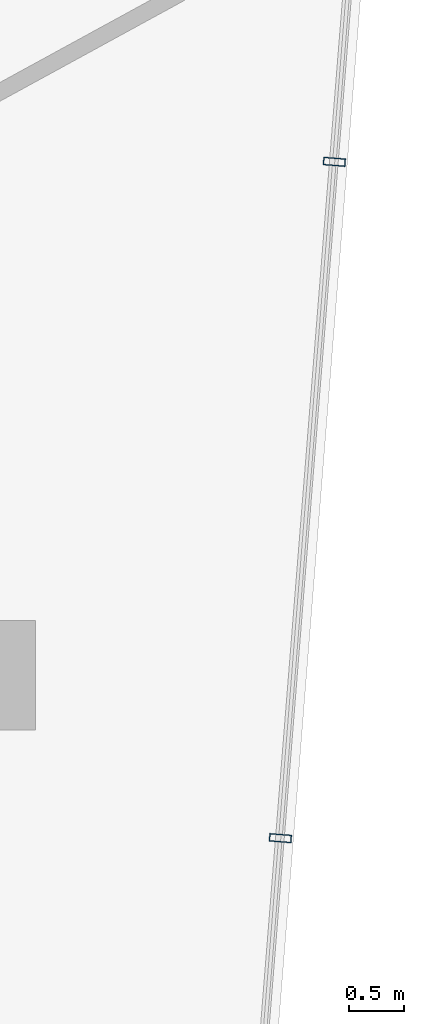
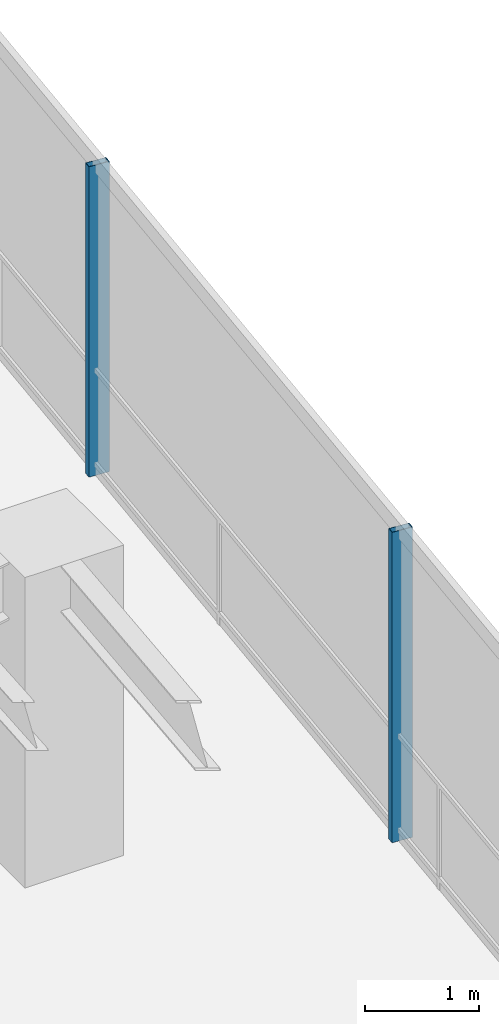
# One storey, part 11 of 21: 2 members, 1 element without a shape of its own.
"""IFC4 building model written with IfcOpenShell, lengths in metres."""

from ifc_helpers import new_model, si_unit, direction, frame, origin, origin_2d, place, context, subcontext, project, spatial, hollow_rectangle, extrude, material, layer, layer_set, material_profile, profile_set, type_object, element, aggregate, save


model = new_model("IFC4")

# Units and contexts
model_context = context("Model", 3, precision=1e-05, world=origin(), true_north=direction((0.0, 1.0)))
body_context = subcontext(model_context, "Body", "Model", "MODEL_VIEW")
ifc_project = project(units=[si_unit("LENGTHUNIT", "METRE"), si_unit("AREAUNIT", "SQUARE_METRE"), si_unit("VOLUMEUNIT", "CUBIC_METRE"), si_unit("PLANEANGLEUNIT", "RADIAN"), si_unit("MASSUNIT", "GRAM", prefix="KILO")], contexts=[model_context])

# Site, building, storey
site_placement = place(None, origin())
site = spatial("IfcSite", under=ifc_project, at=site_placement, CompositionType="ELEMENT")
building_placement = place(site_placement, origin())
building = spatial("IfcBuilding", under=site, at=building_placement, Name="Qarnah Convention Tower", CompositionType="ELEMENT")
storey_placement = place(building_placement, frame((0.0, 0.0, 161.699951171875)))
storey = spatial("IfcBuildingStorey", under=building, at=storey_placement, Name="L43", CompositionType="ELEMENT", Elevation=161.699951171875)

# Curtain wall, members
ifc_material_1 = material(Name="Tempered Low-E dark glass", Category="glass")
ifc_layer = layer(ifc_material_1, 0.172119140625)
ifc_layer_set = layer_set([ifc_layer], Name="Tempered Low-E dark glass")
curtain_wall_type = type_object("IfcCurtainWallType", Name="CWS-03", PredefinedType="NOTDEFINED", material=ifc_layer_set)
curtain_wall_placement = place(storey_placement, origin())
curtain_wall = element("IfcCurtainWall", 1, at=curtain_wall_placement, inside=storey, type_object=curtain_wall_type, Name="L43 unitised curtain wall CW-L43-F1", PredefinedType="NOTDEFINED")
ifc_material_2 = material(Name="Black anodised aluminium", Category="aluminium")
ifc_material_profile = material_profile(ifc_material_2, hollow_rectangle(XDim=0.070068359375, YDim=0.199951171875, WallThickness=0.0048828125, at=origin_2d()), Name="MUL-70X200")
ifc_profile_set = profile_set([ifc_material_profile], Name="Black anodised aluminium")
member_type = type_object("IfcMemberType", Name="MUL-T3", PredefinedType="MULLION", material=ifc_profile_set)
member_1_placement = place(storey_placement, frame((54.950927734375, 34.168701171875, 0.0), z_axis=(0.0, 0.0, 1.0), x_axis=(-0.079547299857, -0.996831092556, 0.0)))
member_1 = element("IfcMember", 2, at=member_1_placement, type_object=member_type, Name="CW-L43-F1 mullion 2", PredefinedType="MULLION", context=body_context, shape_type="SweptSolid", body=[
    extrude(hollow_rectangle(XDim=0.070068359375, YDim=0.199951171875, WallThickness=0.0048828125, at=origin_2d()), origin(), (0.0, 0.0, 1.0), 3.320068359375),
])
member_2_placement = place(storey_placement, frame((54.458984375, 28.003173828125, 0.0), z_axis=(0.0, 0.0, 1.0), x_axis=(-0.079547299857, -0.996831092556, 0.0)))
member_2 = element("IfcMember", 3, at=member_2_placement, type_object=member_type, Name="CW-L43-F1 mullion 3", PredefinedType="MULLION", context=body_context, shape_type="SweptSolid", body=[
    extrude(hollow_rectangle(XDim=0.070068359375, YDim=0.199951171875, WallThickness=0.0048828125, at=origin_2d()), origin(), (0.0, 0.0, 1.0), 3.320068359375),
])
aggregate(curtain_wall, [member_1, member_2])

save(model, "model.ifc")
